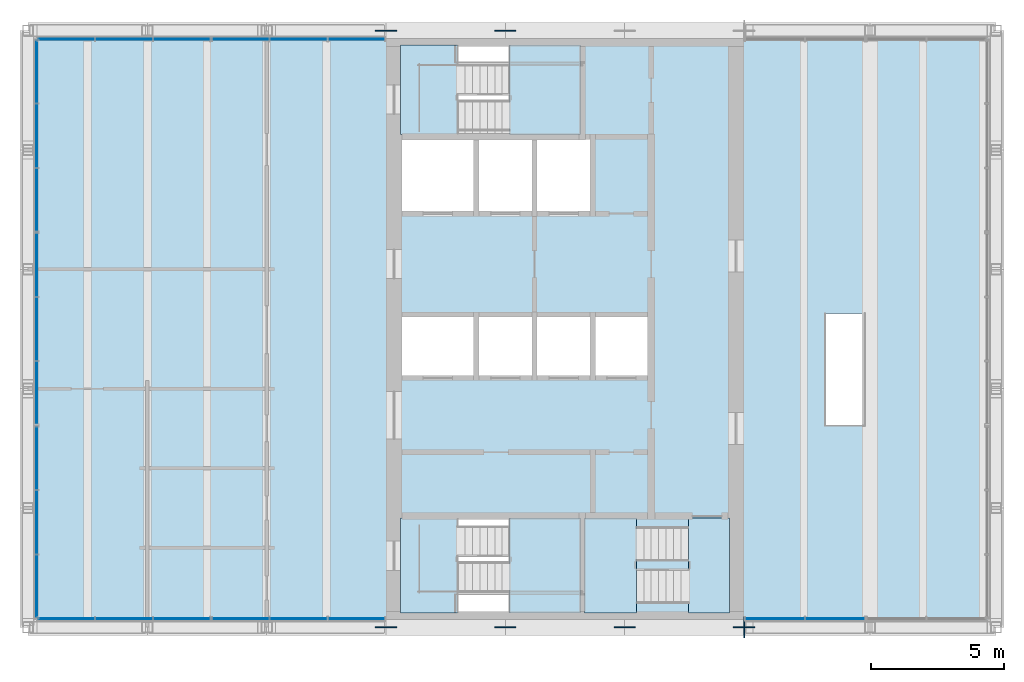
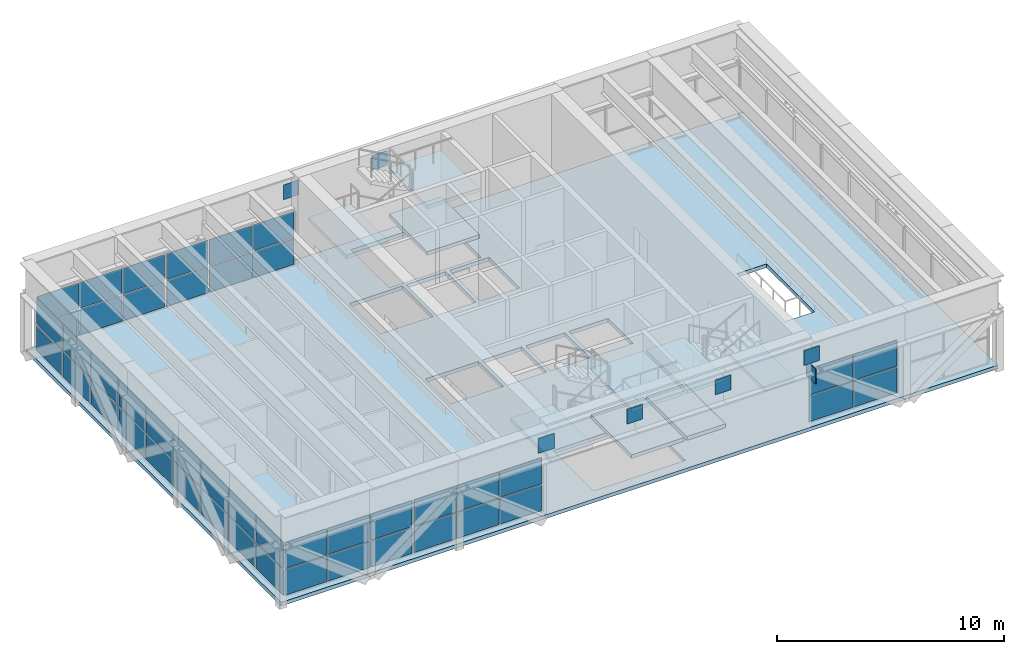
# One storey, part 7 of 12: 53 plates, 10 slabs, 11 elements without a shape of their own.
"""IFC4 building model written with IfcOpenShell, lengths in metres."""

from ifc_helpers import new_model, si_unit, direction, frame, origin, origin_2d, place, context, subcontext, project, spatial, polyline, rectangle, outline, extrude, material, layer, layer_set, type_object, element, aggregate, save


model = new_model("IFC4")

# Units and contexts
model_context = context("Model", 3, precision=1e-05, world=origin(), true_north=direction((0.0, 1.0)))
body_context = subcontext(model_context, "Body", "Model", "MODEL_VIEW")
ifc_project = project(units=[si_unit("LENGTHUNIT", "METRE"), si_unit("AREAUNIT", "SQUARE_METRE"), si_unit("VOLUMEUNIT", "CUBIC_METRE"), si_unit("PLANEANGLEUNIT", "RADIAN"), si_unit("MASSUNIT", "GRAM", prefix="KILO")], contexts=[model_context])

# Site, building, storey
site_placement = place(None, origin())
site = spatial("IfcSite", under=ifc_project, at=site_placement, CompositionType="ELEMENT")
building_placement = place(site_placement, origin())
building = spatial("IfcBuilding", under=site, at=building_placement, Name="Sennacour Bend Tower", CompositionType="ELEMENT")
storey_placement = place(building_placement, frame((0.0, 0.0, 350.5)))
storey = spatial("IfcBuildingStorey", under=building, at=storey_placement, Name="L80", CompositionType="ELEMENT", Elevation=350.5)

# Plates
ifc_material_1 = material(Name="Steel ASTM A572 Grade 50", Category="steel")
ifc_layer_1 = layer(ifc_material_1, 0.0400390625, Name="Steel ASTM A572 Grade 50", Category="steel")
ifc_layer_set_1 = layer_set([ifc_layer_1], Name="Steel ASTM A572 Grade 50")
plate_type_1 = type_object("IfcPlateType", Name="Cast-in plate 40", PredefinedType="USERDEFINED", material=ifc_layer_set_1)
for number, where, z_axis, x_axis, name in (
    (1, (54.0, 0.0, 3.4501953125), (0.0, 0.0, 1.0), (1.0, 0.0, 0.0), "Cast-in plate CP 40"),
    (2, (58.5, 0.0, 3.4501953125), (0.0, 0.0, 1.0), (1.0, 0.0, 0.0), "Cast-in plate CP 40"),
    (3, (63.0, 0.0, 3.4501953125), (0.0, 0.0, 1.0), (1.0, 0.0, 0.0), "Cast-in plate CP 40"),
    (4, (67.5, 0.0, 3.4501953125), (0.0, 0.0, 1.0), (1.0, 0.0, 0.0), "Cast-in plate CP 40"),
    (5, (54.0, 22.5, 3.4501953125), (0.0, 0.0, 1.0), (1.0, 0.0, 0.0), "Cast-in plate CP 40"),
    (6, (58.5, 22.5, 3.4501953125), (0.0, 0.0, 1.0), (1.0, 0.0, 0.0), "Cast-in plate CP 40"),
):
    element("IfcPlate", number, at=place(storey_placement, frame(where, z_axis=z_axis, x_axis=x_axis)), inside=storey, type_object=plate_type_1, Name=name, ObjectType="CAST-IN PLATE", PredefinedType="USERDEFINED", context=body_context, shape_type="SweptSolid", body=[
        extrude(rectangle(XDim=0.800048828125, YDim=0.0400390625, at=origin_2d()), origin(), (0.0, 0.0, 1.0), 0.800048828125),
    ])
plate_1_placement = place(storey_placement, frame((67.5, 0.0, 2.5498046875), z_axis=(0.0, 0.0, 1.0), x_axis=(1.0, 0.0, 0.0)))
element("IfcPlate", 7, at=plate_1_placement, inside=storey, type_object=plate_type_1, Name="Cast-in plate CP 40", ObjectType="CAST-IN PLATE", PredefinedType="USERDEFINED", context=body_context, shape_type="SweptSolid", body=[
    extrude(rectangle(XDim=0.0400390625, YDim=0.800048828125, at=origin_2d()), origin(), (0.0, 0.0, 1.0), 0.800048828125),
])

# Slab
ifc_material_2 = material(Name="Concrete C30/37", Category="concrete")
ifc_layer_2 = layer(ifc_material_2, 0.199951171875, Name="Concrete C30/37", Category="concrete")
ifc_layer_set_2 = layer_set([ifc_layer_2], Name="Concrete C30/37")
slab_type_1 = type_object("IfcSlabType", Name="Floor slab 200", PredefinedType="FLOOR", material=ifc_layer_set_2)
slab_1_placement = place(storey_placement, frame((0.0, 0.0, -0.199951171875)))
element("IfcSlab", 8, at=slab_1_placement, inside=storey, type_object=slab_type_1, Name="Floor slab L80-01", PredefinedType="FLOOR", context=body_context, shape_type="SweptSolid", body=[
    extrude(outline(polyline([(40.5, 0.0), (40.5, 22.5), (77.0, 22.5), (77.0, 0.0), (40.5, 0.0)]), holes=[polyline([(61.39990234375, 4.125), (56.72998046875, 4.125), (56.72998046875, 0.550048828125), (61.39990234375, 0.550048828125), (61.39990234375, 4.125)]), polyline([(72.050048828125, 11.840087890625), (70.550048828125, 11.840087890625), (70.550048828125, 7.60009765625), (72.050048828125, 7.60009765625), (72.050048828125, 11.840087890625)]), polyline([(57.300048828125, 11.699951171875), (54.60009765625, 11.699951171875), (54.60009765625, 9.5), (57.300048828125, 9.5), (57.300048828125, 11.699951171875)]), polyline([(59.5, 9.5), (59.5, 11.699951171875), (57.5, 11.699951171875), (57.5, 9.5), (59.5, 9.5)]), polyline([(61.699951171875, 9.5), (61.699951171875, 11.699951171875), (59.699951171875, 11.699951171875), (59.699951171875, 9.5), (61.699951171875, 9.5)]), polyline([(63.89990234375, 11.699951171875), (61.89990234375, 11.699951171875), (61.89990234375, 9.5), (63.89990234375, 9.5), (63.89990234375, 11.699951171875)]), polyline([(57.300048828125, 18.39990234375), (54.60009765625, 18.39990234375), (54.60009765625, 15.699951171875), (57.300048828125, 15.699951171875), (57.300048828125, 18.39990234375)]), polyline([(59.5, 18.39990234375), (57.5, 18.39990234375), (57.5, 15.699951171875), (59.5, 15.699951171875), (59.5, 18.39990234375)]), polyline([(61.699951171875, 15.699951171875), (61.699951171875, 18.39990234375), (59.699951171875, 18.39990234375), (59.699951171875, 15.699951171875), (61.699951171875, 15.699951171875)]), polyline([(61.39990234375, 18.574951171875), (61.39990234375, 21.949951171875), (56.72998046875, 21.949951171875), (56.72998046875, 18.574951171875), (61.39990234375, 18.574951171875)])]), origin(), (0.0, 0.0, 1.0), 0.199951171875),
])

# Curtain wall, plates
ifc_material_3 = material(Name="Bronze anodised aluminium curtain wall with clear glass", Category="aluminium")
curtain_wall_type = type_object("IfcCurtainWallType", Name="CURTAIN WALL LOUNGE", PredefinedType="NOTDEFINED", material=ifc_material_3)
curtain_wall_1_placement = place(storey_placement, origin())
curtain_wall_1 = element("IfcCurtainWall", 9, at=curtain_wall_1_placement, inside=storey, type_object=curtain_wall_type, Name="Sky lounge glass wall L80", PredefinedType="NOTDEFINED")
ifc_material_4 = material(Name="Clear low-emissivity glass", Category="glass")
ifc_layer_3 = layer(ifc_material_4, 0.031982421875, Name="Clear low-emissivity glass", Category="glass")
ifc_layer_set_3 = layer_set([ifc_layer_3], Name="Clear low-emissivity glass")
plate_type_2 = type_object("IfcPlateType", Name="PNL-GLASS-IGU32", PredefinedType="CURTAIN_PANEL", material=ifc_layer_set_3)
plate_2_placement = place(storey_placement, frame((52.88623046875, 22.175048828125, 0.06005859375), z_axis=(0.0, 0.0, 1.0), x_axis=(-1.0, 0.0, 0.0)))
plate_2 = element("IfcPlate", 10, at=plate_2_placement, type_object=plate_type_2, Name="GW4 curtain wall panel 1.1", PredefinedType="CURTAIN_PANEL", context=body_context, shape_type="SweptSolid", body=[
    extrude(rectangle(XDim=2.105712890625, YDim=0.031982421875, at=origin_2d()), origin(), (0.0, 0.0, 1.0), 1.385009765625),
])
plate_3_placement = place(storey_placement, frame((52.88623046875, 22.175048828125, 1.5048828125), z_axis=(0.0, 0.0, 1.0), x_axis=(-1.0, 0.0, 0.0)))
plate_3 = element("IfcPlate", 11, at=plate_3_placement, type_object=plate_type_2, Name="GW4 curtain wall panel 1.2", PredefinedType="CURTAIN_PANEL", context=body_context, shape_type="SweptSolid", body=[
    extrude(rectangle(XDim=2.105712890625, YDim=0.031982421875, at=origin_2d()), origin(), (0.0, 0.0, 1.0), 1.385009765625),
])
plate_4_placement = place(storey_placement, frame((50.70556640625, 22.175048828125, 0.06005859375), z_axis=(0.0, 0.0, 1.0), x_axis=(-1.0, 0.0, 0.0)))
plate_4 = element("IfcPlate", 12, at=plate_4_placement, type_object=plate_type_2, Name="GW4 curtain wall panel 2.1", PredefinedType="CURTAIN_PANEL", context=body_context, shape_type="SweptSolid", body=[
    extrude(rectangle(XDim=2.1357421875, YDim=0.031982421875, at=origin_2d()), origin(), (0.0, 0.0, 1.0), 1.385009765625),
])
plate_5_placement = place(storey_placement, frame((50.70556640625, 22.175048828125, 1.5048828125), z_axis=(0.0, 0.0, 1.0), x_axis=(-1.0, 0.0, 0.0)))
plate_5 = element("IfcPlate", 13, at=plate_5_placement, type_object=plate_type_2, Name="GW4 curtain wall panel 2.2", PredefinedType="CURTAIN_PANEL", context=body_context, shape_type="SweptSolid", body=[
    extrude(rectangle(XDim=2.1357421875, YDim=0.031982421875, at=origin_2d()), origin(), (0.0, 0.0, 1.0), 1.385009765625),
])
plate_6_placement = place(storey_placement, frame((48.52490234375, 22.175048828125, 0.06005859375), z_axis=(0.0, 0.0, 1.0), x_axis=(-1.0, 0.0, 0.0)))
plate_6 = element("IfcPlate", 14, at=plate_6_placement, type_object=plate_type_2, Name="GW4 curtain wall panel 3.1", PredefinedType="CURTAIN_PANEL", context=body_context, shape_type="SweptSolid", body=[
    extrude(rectangle(XDim=2.105712890625, YDim=0.031982421875, at=origin_2d()), origin(), (0.0, 0.0, 1.0), 1.385009765625),
])
plate_7_placement = place(storey_placement, frame((48.52490234375, 22.175048828125, 1.5048828125), z_axis=(0.0, 0.0, 1.0), x_axis=(-1.0, 0.0, 0.0)))
plate_7 = element("IfcPlate", 15, at=plate_7_placement, type_object=plate_type_2, Name="GW4 curtain wall panel 3.2", PredefinedType="CURTAIN_PANEL", context=body_context, shape_type="SweptSolid", body=[
    extrude(rectangle(XDim=2.105712890625, YDim=0.031982421875, at=origin_2d()), origin(), (0.0, 0.0, 1.0), 1.385009765625),
])
aggregate(curtain_wall_1, [plate_2, plate_3, plate_4, plate_5, plate_6, plate_7])

curtain_wall_2_placement = place(storey_placement, origin())
curtain_wall_2 = element("IfcCurtainWall", 16, at=curtain_wall_2_placement, inside=storey, type_object=curtain_wall_type, Name="Sky lounge glass wall L80", PredefinedType="NOTDEFINED")
plate_8_placement = place(storey_placement, frame((46.299072265625, 22.175048828125, 0.06005859375), z_axis=(0.0, 0.0, 1.0), x_axis=(-1.0, 0.0, 0.0)))
plate_8 = element("IfcPlate", 17, at=plate_8_placement, type_object=plate_type_2, Name="GW4 curtain wall panel 1.1", PredefinedType="CURTAIN_PANEL", context=body_context, shape_type="SweptSolid", body=[
    extrude(rectangle(XDim=2.105712890625, YDim=0.031982421875, at=origin_2d()), origin(), (0.0, 0.0, 1.0), 1.385009765625),
])
plate_9_placement = place(storey_placement, frame((46.299072265625, 22.175048828125, 1.5048828125), z_axis=(0.0, 0.0, 1.0), x_axis=(-1.0, 0.0, 0.0)))
plate_9 = element("IfcPlate", 18, at=plate_9_placement, type_object=plate_type_2, Name="GW4 curtain wall panel 1.2", PredefinedType="CURTAIN_PANEL", context=body_context, shape_type="SweptSolid", body=[
    extrude(rectangle(XDim=2.105712890625, YDim=0.031982421875, at=origin_2d()), origin(), (0.0, 0.0, 1.0), 1.385009765625),
])
plate_10_placement = place(storey_placement, frame((44.118408203125, 22.175048828125, 0.06005859375), z_axis=(0.0, 0.0, 1.0), x_axis=(-1.0, 0.0, 0.0)))
plate_10 = element("IfcPlate", 19, at=plate_10_placement, type_object=plate_type_2, Name="GW4 curtain wall panel 2.1", PredefinedType="CURTAIN_PANEL", context=body_context, shape_type="SweptSolid", body=[
    extrude(rectangle(XDim=2.1357421875, YDim=0.031982421875, at=origin_2d()), origin(), (0.0, 0.0, 1.0), 1.385009765625),
])
plate_11_placement = place(storey_placement, frame((44.118408203125, 22.175048828125, 1.5048828125), z_axis=(0.0, 0.0, 1.0), x_axis=(-1.0, 0.0, 0.0)))
plate_11 = element("IfcPlate", 20, at=plate_11_placement, type_object=plate_type_2, Name="GW4 curtain wall panel 2.2", PredefinedType="CURTAIN_PANEL", context=body_context, shape_type="SweptSolid", body=[
    extrude(rectangle(XDim=2.1357421875, YDim=0.031982421875, at=origin_2d()), origin(), (0.0, 0.0, 1.0), 1.385009765625),
])
plate_12_placement = place(storey_placement, frame((41.937744140625, 22.175048828125, 0.06005859375), z_axis=(0.0, 0.0, 1.0), x_axis=(-1.0, 0.0, 0.0)))
plate_12 = element("IfcPlate", 21, at=plate_12_placement, type_object=plate_type_2, Name="GW4 curtain wall panel 3.1", PredefinedType="CURTAIN_PANEL", context=body_context, shape_type="SweptSolid", body=[
    extrude(rectangle(XDim=2.105712890625, YDim=0.031982421875, at=origin_2d()), origin(), (0.0, 0.0, 1.0), 1.385009765625),
])
plate_13_placement = place(storey_placement, frame((41.937744140625, 22.175048828125, 1.5048828125), z_axis=(0.0, 0.0, 1.0), x_axis=(-1.0, 0.0, 0.0)))
plate_13 = element("IfcPlate", 22, at=plate_13_placement, type_object=plate_type_2, Name="GW4 curtain wall panel 3.2", PredefinedType="CURTAIN_PANEL", context=body_context, shape_type="SweptSolid", body=[
    extrude(rectangle(XDim=2.105712890625, YDim=0.031982421875, at=origin_2d()), origin(), (0.0, 0.0, 1.0), 1.385009765625),
])
aggregate(curtain_wall_2, [plate_8, plate_9, plate_10, plate_11, plate_12, plate_13])

curtain_wall_3_placement = place(storey_placement, origin())
curtain_wall_3 = element("IfcCurtainWall", 23, at=curtain_wall_3_placement, inside=storey, type_object=curtain_wall_type, Name="Sky lounge glass wall L80", PredefinedType="NOTDEFINED")
plate_14_placement = place(storey_placement, frame((40.824951171875, 1.553955078125, 0.06005859375), z_axis=(0.0, 0.0, 1.0), x_axis=(0.0, 1.0, 0.0)))
plate_14 = element("IfcPlate", 24, at=plate_14_placement, type_object=plate_type_2, Name="GW4 curtain wall panel 1.1", PredefinedType="CURTAIN_PANEL", context=body_context, shape_type="SweptSolid", body=[
    extrude(rectangle(XDim=2.337646484375, YDim=0.031982421875, at=origin_2d()), origin(), (0.0, 0.0, 1.0), 1.385009765625),
])
plate_15_placement = place(storey_placement, frame((40.824951171875, 1.553955078125, 1.5048828125), z_axis=(0.0, 0.0, 1.0), x_axis=(0.0, 1.0, 0.0)))
plate_15 = element("IfcPlate", 25, at=plate_15_placement, type_object=plate_type_2, Name="GW4 curtain wall panel 1.2", PredefinedType="CURTAIN_PANEL", context=body_context, shape_type="SweptSolid", body=[
    extrude(rectangle(XDim=2.337646484375, YDim=0.031982421875, at=origin_2d()), origin(), (0.0, 0.0, 1.0), 1.385009765625),
])
plate_16_placement = place(storey_placement, frame((40.824951171875, 3.966552734375, 0.06005859375), z_axis=(0.0, 0.0, 1.0), x_axis=(0.0, 1.0, 0.0)))
plate_16 = element("IfcPlate", 26, at=plate_16_placement, type_object=plate_type_2, Name="GW4 curtain wall panel 2.1", PredefinedType="CURTAIN_PANEL", context=body_context, shape_type="SweptSolid", body=[
    extrude(rectangle(XDim=2.36767578125, YDim=0.031982421875, at=origin_2d()), origin(), (0.0, 0.0, 1.0), 1.385009765625),
])
plate_17_placement = place(storey_placement, frame((40.824951171875, 3.966552734375, 1.5048828125), z_axis=(0.0, 0.0, 1.0), x_axis=(0.0, 1.0, 0.0)))
plate_17 = element("IfcPlate", 27, at=plate_17_placement, type_object=plate_type_2, Name="GW4 curtain wall panel 2.2", PredefinedType="CURTAIN_PANEL", context=body_context, shape_type="SweptSolid", body=[
    extrude(rectangle(XDim=2.36767578125, YDim=0.031982421875, at=origin_2d()), origin(), (0.0, 0.0, 1.0), 1.385009765625),
])
plate_18_placement = place(storey_placement, frame((40.824951171875, 6.37939453125, 0.06005859375), z_axis=(0.0, 0.0, 1.0), x_axis=(0.0, 1.0, 0.0)))
plate_18 = element("IfcPlate", 28, at=plate_18_placement, type_object=plate_type_2, Name="GW4 curtain wall panel 3.1", PredefinedType="CURTAIN_PANEL", context=body_context, shape_type="SweptSolid", body=[
    extrude(rectangle(XDim=2.337646484375, YDim=0.031982421875, at=origin_2d()), origin(), (0.0, 0.0, 1.0), 1.385009765625),
])
plate_19_placement = place(storey_placement, frame((40.824951171875, 6.37939453125, 1.5048828125), z_axis=(0.0, 0.0, 1.0), x_axis=(0.0, 1.0, 0.0)))
plate_19 = element("IfcPlate", 29, at=plate_19_placement, type_object=plate_type_2, Name="GW4 curtain wall panel 3.2", PredefinedType="CURTAIN_PANEL", context=body_context, shape_type="SweptSolid", body=[
    extrude(rectangle(XDim=2.337646484375, YDim=0.031982421875, at=origin_2d()), origin(), (0.0, 0.0, 1.0), 1.385009765625),
])
aggregate(curtain_wall_3, [plate_14, plate_15, plate_16, plate_17, plate_18, plate_19])

curtain_wall_4_placement = place(storey_placement, origin())
curtain_wall_4 = element("IfcCurtainWall", 30, at=curtain_wall_4_placement, inside=storey, type_object=curtain_wall_type, Name="Sky lounge glass wall L80", PredefinedType="NOTDEFINED")
plate_20_placement = place(storey_placement, frame((40.824951171875, 8.837158203125, 0.06005859375), z_axis=(0.0, 0.0, 1.0), x_axis=(0.0, 1.0, 0.0)))
plate_20 = element("IfcPlate", 31, at=plate_20_placement, type_object=plate_type_2, Name="GW4 curtain wall panel 1.1", PredefinedType="CURTAIN_PANEL", context=body_context, shape_type="SweptSolid", body=[
    extrude(rectangle(XDim=2.337890625, YDim=0.031982421875, at=origin_2d()), origin(), (0.0, 0.0, 1.0), 1.385009765625),
])
plate_21_placement = place(storey_placement, frame((40.824951171875, 8.837158203125, 1.5048828125), z_axis=(0.0, 0.0, 1.0), x_axis=(0.0, 1.0, 0.0)))
plate_21 = element("IfcPlate", 32, at=plate_21_placement, type_object=plate_type_2, Name="GW4 curtain wall panel 1.2", PredefinedType="CURTAIN_PANEL", context=body_context, shape_type="SweptSolid", body=[
    extrude(rectangle(XDim=2.337890625, YDim=0.031982421875, at=origin_2d()), origin(), (0.0, 0.0, 1.0), 1.385009765625),
])
plate_22_placement = place(storey_placement, frame((40.824951171875, 11.25, 0.06005859375), z_axis=(0.0, 0.0, 1.0), x_axis=(0.0, 1.0, 0.0)))
plate_22 = element("IfcPlate", 33, at=plate_22_placement, type_object=plate_type_2, Name="GW4 curtain wall panel 2.1", PredefinedType="CURTAIN_PANEL", context=body_context, shape_type="SweptSolid", body=[
    extrude(rectangle(XDim=2.367919921875, YDim=0.031982421875, at=origin_2d()), origin(), (0.0, 0.0, 1.0), 1.385009765625),
])
plate_23_placement = place(storey_placement, frame((40.824951171875, 11.25, 1.5048828125), z_axis=(0.0, 0.0, 1.0), x_axis=(0.0, 1.0, 0.0)))
plate_23 = element("IfcPlate", 34, at=plate_23_placement, type_object=plate_type_2, Name="GW4 curtain wall panel 2.2", PredefinedType="CURTAIN_PANEL", context=body_context, shape_type="SweptSolid", body=[
    extrude(rectangle(XDim=2.367919921875, YDim=0.031982421875, at=origin_2d()), origin(), (0.0, 0.0, 1.0), 1.385009765625),
])
plate_24_placement = place(storey_placement, frame((40.824951171875, 13.662841796875, 0.06005859375), z_axis=(0.0, 0.0, 1.0), x_axis=(0.0, 1.0, 0.0)))
plate_24 = element("IfcPlate", 35, at=plate_24_placement, type_object=plate_type_2, Name="GW4 curtain wall panel 3.1", PredefinedType="CURTAIN_PANEL", context=body_context, shape_type="SweptSolid", body=[
    extrude(rectangle(XDim=2.337890625, YDim=0.031982421875, at=origin_2d()), origin(), (0.0, 0.0, 1.0), 1.385009765625),
])
plate_25_placement = place(storey_placement, frame((40.824951171875, 13.662841796875, 1.5048828125), z_axis=(0.0, 0.0, 1.0), x_axis=(0.0, 1.0, 0.0)))
plate_25 = element("IfcPlate", 36, at=plate_25_placement, type_object=plate_type_2, Name="GW4 curtain wall panel 3.2", PredefinedType="CURTAIN_PANEL", context=body_context, shape_type="SweptSolid", body=[
    extrude(rectangle(XDim=2.337890625, YDim=0.031982421875, at=origin_2d()), origin(), (0.0, 0.0, 1.0), 1.385009765625),
])
aggregate(curtain_wall_4, [plate_20, plate_21, plate_22, plate_23, plate_24, plate_25])

curtain_wall_5_placement = place(storey_placement, origin())
curtain_wall_5 = element("IfcCurtainWall", 37, at=curtain_wall_5_placement, inside=storey, type_object=curtain_wall_type, Name="Sky lounge glass wall L80", PredefinedType="NOTDEFINED")
plate_26_placement = place(storey_placement, frame((40.824951171875, 16.12060546875, 0.06005859375), z_axis=(0.0, 0.0, 1.0), x_axis=(0.0, 1.0, 0.0)))
plate_26 = element("IfcPlate", 38, at=plate_26_placement, type_object=plate_type_2, Name="GW4 curtain wall panel 1.1", PredefinedType="CURTAIN_PANEL", context=body_context, shape_type="SweptSolid", body=[
    extrude(rectangle(XDim=2.337646484375, YDim=0.031982421875, at=origin_2d()), origin(), (0.0, 0.0, 1.0), 1.385009765625),
])
plate_27_placement = place(storey_placement, frame((40.824951171875, 16.12060546875, 1.5048828125), z_axis=(0.0, 0.0, 1.0), x_axis=(0.0, 1.0, 0.0)))
plate_27 = element("IfcPlate", 39, at=plate_27_placement, type_object=plate_type_2, Name="GW4 curtain wall panel 1.2", PredefinedType="CURTAIN_PANEL", context=body_context, shape_type="SweptSolid", body=[
    extrude(rectangle(XDim=2.337646484375, YDim=0.031982421875, at=origin_2d()), origin(), (0.0, 0.0, 1.0), 1.385009765625),
])
plate_28_placement = place(storey_placement, frame((40.824951171875, 18.533447265625, 0.06005859375), z_axis=(0.0, 0.0, 1.0), x_axis=(0.0, 1.0, 0.0)))
plate_28 = element("IfcPlate", 40, at=plate_28_placement, type_object=plate_type_2, Name="GW4 curtain wall panel 2.1", PredefinedType="CURTAIN_PANEL", context=body_context, shape_type="SweptSolid", body=[
    extrude(rectangle(XDim=2.36767578125, YDim=0.031982421875, at=origin_2d()), origin(), (0.0, 0.0, 1.0), 1.385009765625),
])
plate_29_placement = place(storey_placement, frame((40.824951171875, 18.533447265625, 1.5048828125), z_axis=(0.0, 0.0, 1.0), x_axis=(0.0, 1.0, 0.0)))
plate_29 = element("IfcPlate", 41, at=plate_29_placement, type_object=plate_type_2, Name="GW4 curtain wall panel 2.2", PredefinedType="CURTAIN_PANEL", context=body_context, shape_type="SweptSolid", body=[
    extrude(rectangle(XDim=2.36767578125, YDim=0.031982421875, at=origin_2d()), origin(), (0.0, 0.0, 1.0), 1.385009765625),
])
plate_30_placement = place(storey_placement, frame((40.824951171875, 20.946044921875, 0.06005859375), z_axis=(0.0, 0.0, 1.0), x_axis=(0.0, 1.0, 0.0)))
plate_30 = element("IfcPlate", 42, at=plate_30_placement, type_object=plate_type_2, Name="GW4 curtain wall panel 3.1", PredefinedType="CURTAIN_PANEL", context=body_context, shape_type="SweptSolid", body=[
    extrude(rectangle(XDim=2.337646484375, YDim=0.031982421875, at=origin_2d()), origin(), (0.0, 0.0, 1.0), 1.385009765625),
])
plate_31_placement = place(storey_placement, frame((40.824951171875, 20.946044921875, 1.5048828125), z_axis=(0.0, 0.0, 1.0), x_axis=(0.0, 1.0, 0.0)))
plate_31 = element("IfcPlate", 43, at=plate_31_placement, type_object=plate_type_2, Name="GW4 curtain wall panel 3.2", PredefinedType="CURTAIN_PANEL", context=body_context, shape_type="SweptSolid", body=[
    extrude(rectangle(XDim=2.337646484375, YDim=0.031982421875, at=origin_2d()), origin(), (0.0, 0.0, 1.0), 1.385009765625),
])
aggregate(curtain_wall_5, [plate_26, plate_27, plate_28, plate_29, plate_30, plate_31])

curtain_wall_6_placement = place(storey_placement, origin())
curtain_wall_6 = element("IfcCurtainWall", 44, at=curtain_wall_6_placement, inside=storey, type_object=curtain_wall_type, Name="Sky lounge glass wall L80", PredefinedType="NOTDEFINED")
plate_32_placement = place(storey_placement, frame((41.937744140625, 0.324951171875, 0.06005859375), z_axis=(0.0, 0.0, 1.0), x_axis=(1.0, 0.0, 0.0)))
plate_32 = element("IfcPlate", 45, at=plate_32_placement, type_object=plate_type_2, Name="GW4 curtain wall panel 1.1", PredefinedType="CURTAIN_PANEL", context=body_context, shape_type="SweptSolid", body=[
    extrude(rectangle(XDim=2.105712890625, YDim=0.031982421875, at=origin_2d()), origin(), (0.0, 0.0, 1.0), 1.385009765625),
])
plate_33_placement = place(storey_placement, frame((41.937744140625, 0.324951171875, 1.5048828125), z_axis=(0.0, 0.0, 1.0), x_axis=(1.0, 0.0, 0.0)))
plate_33 = element("IfcPlate", 46, at=plate_33_placement, type_object=plate_type_2, Name="GW4 curtain wall panel 1.2", PredefinedType="CURTAIN_PANEL", context=body_context, shape_type="SweptSolid", body=[
    extrude(rectangle(XDim=2.105712890625, YDim=0.031982421875, at=origin_2d()), origin(), (0.0, 0.0, 1.0), 1.385009765625),
])
plate_34_placement = place(storey_placement, frame((44.118408203125, 0.324951171875, 0.06005859375), z_axis=(0.0, 0.0, 1.0), x_axis=(1.0, 0.0, 0.0)))
plate_34 = element("IfcPlate", 47, at=plate_34_placement, type_object=plate_type_2, Name="GW4 curtain wall panel 2.1", PredefinedType="CURTAIN_PANEL", context=body_context, shape_type="SweptSolid", body=[
    extrude(rectangle(XDim=2.1357421875, YDim=0.031982421875, at=origin_2d()), origin(), (0.0, 0.0, 1.0), 1.385009765625),
])
plate_35_placement = place(storey_placement, frame((44.118408203125, 0.324951171875, 1.5048828125), z_axis=(0.0, 0.0, 1.0), x_axis=(1.0, 0.0, 0.0)))
plate_35 = element("IfcPlate", 48, at=plate_35_placement, type_object=plate_type_2, Name="GW4 curtain wall panel 2.2", PredefinedType="CURTAIN_PANEL", context=body_context, shape_type="SweptSolid", body=[
    extrude(rectangle(XDim=2.1357421875, YDim=0.031982421875, at=origin_2d()), origin(), (0.0, 0.0, 1.0), 1.385009765625),
])
plate_36_placement = place(storey_placement, frame((46.299072265625, 0.324951171875, 0.06005859375), z_axis=(0.0, 0.0, 1.0), x_axis=(1.0, 0.0, 0.0)))
plate_36 = element("IfcPlate", 49, at=plate_36_placement, type_object=plate_type_2, Name="GW4 curtain wall panel 3.1", PredefinedType="CURTAIN_PANEL", context=body_context, shape_type="SweptSolid", body=[
    extrude(rectangle(XDim=2.105712890625, YDim=0.031982421875, at=origin_2d()), origin(), (0.0, 0.0, 1.0), 1.385009765625),
])
plate_37_placement = place(storey_placement, frame((46.299072265625, 0.324951171875, 1.5048828125), z_axis=(0.0, 0.0, 1.0), x_axis=(1.0, 0.0, 0.0)))
plate_37 = element("IfcPlate", 50, at=plate_37_placement, type_object=plate_type_2, Name="GW4 curtain wall panel 3.2", PredefinedType="CURTAIN_PANEL", context=body_context, shape_type="SweptSolid", body=[
    extrude(rectangle(XDim=2.105712890625, YDim=0.031982421875, at=origin_2d()), origin(), (0.0, 0.0, 1.0), 1.385009765625),
])
aggregate(curtain_wall_6, [plate_32, plate_33, plate_34, plate_35, plate_36, plate_37])

curtain_wall_7_placement = place(storey_placement, origin())
curtain_wall_7 = element("IfcCurtainWall", 51, at=curtain_wall_7_placement, inside=storey, type_object=curtain_wall_type, Name="Sky lounge glass wall L80", PredefinedType="NOTDEFINED")
plate_38_placement = place(storey_placement, frame((48.52490234375, 0.324951171875, 0.06005859375), z_axis=(0.0, 0.0, 1.0), x_axis=(1.0, 0.0, 0.0)))
plate_38 = element("IfcPlate", 52, at=plate_38_placement, type_object=plate_type_2, Name="GW4 curtain wall panel 1.1", PredefinedType="CURTAIN_PANEL", context=body_context, shape_type="SweptSolid", body=[
    extrude(rectangle(XDim=2.105712890625, YDim=0.031982421875, at=origin_2d()), origin(), (0.0, 0.0, 1.0), 1.385009765625),
])
plate_39_placement = place(storey_placement, frame((48.52490234375, 0.324951171875, 1.5048828125), z_axis=(0.0, 0.0, 1.0), x_axis=(1.0, 0.0, 0.0)))
plate_39 = element("IfcPlate", 53, at=plate_39_placement, type_object=plate_type_2, Name="GW4 curtain wall panel 1.2", PredefinedType="CURTAIN_PANEL", context=body_context, shape_type="SweptSolid", body=[
    extrude(rectangle(XDim=2.105712890625, YDim=0.031982421875, at=origin_2d()), origin(), (0.0, 0.0, 1.0), 1.385009765625),
])
plate_40_placement = place(storey_placement, frame((50.70556640625, 0.324951171875, 0.06005859375), z_axis=(0.0, 0.0, 1.0), x_axis=(1.0, 0.0, 0.0)))
plate_40 = element("IfcPlate", 54, at=plate_40_placement, type_object=plate_type_2, Name="GW4 curtain wall panel 2.1", PredefinedType="CURTAIN_PANEL", context=body_context, shape_type="SweptSolid", body=[
    extrude(rectangle(XDim=2.1357421875, YDim=0.031982421875, at=origin_2d()), origin(), (0.0, 0.0, 1.0), 1.385009765625),
])
plate_41_placement = place(storey_placement, frame((50.70556640625, 0.324951171875, 1.5048828125), z_axis=(0.0, 0.0, 1.0), x_axis=(1.0, 0.0, 0.0)))
plate_41 = element("IfcPlate", 55, at=plate_41_placement, type_object=plate_type_2, Name="GW4 curtain wall panel 2.2", PredefinedType="CURTAIN_PANEL", context=body_context, shape_type="SweptSolid", body=[
    extrude(rectangle(XDim=2.1357421875, YDim=0.031982421875, at=origin_2d()), origin(), (0.0, 0.0, 1.0), 1.385009765625),
])
plate_42_placement = place(storey_placement, frame((52.88623046875, 0.324951171875, 0.06005859375), z_axis=(0.0, 0.0, 1.0), x_axis=(1.0, 0.0, 0.0)))
plate_42 = element("IfcPlate", 56, at=plate_42_placement, type_object=plate_type_2, Name="GW4 curtain wall panel 3.1", PredefinedType="CURTAIN_PANEL", context=body_context, shape_type="SweptSolid", body=[
    extrude(rectangle(XDim=2.105712890625, YDim=0.031982421875, at=origin_2d()), origin(), (0.0, 0.0, 1.0), 1.385009765625),
])
plate_43_placement = place(storey_placement, frame((52.88623046875, 0.324951171875, 1.5048828125), z_axis=(0.0, 0.0, 1.0), x_axis=(1.0, 0.0, 0.0)))
plate_43 = element("IfcPlate", 57, at=plate_43_placement, type_object=plate_type_2, Name="GW4 curtain wall panel 3.2", PredefinedType="CURTAIN_PANEL", context=body_context, shape_type="SweptSolid", body=[
    extrude(rectangle(XDim=2.105712890625, YDim=0.031982421875, at=origin_2d()), origin(), (0.0, 0.0, 1.0), 1.385009765625),
])
aggregate(curtain_wall_7, [plate_38, plate_39, plate_40, plate_41, plate_42, plate_43])

curtain_wall_8_placement = place(storey_placement, origin())
curtain_wall_8 = element("IfcCurtainWall", 58, at=curtain_wall_8_placement, inside=storey, type_object=curtain_wall_type, Name="Sky lounge glass wall L80", PredefinedType="NOTDEFINED")
plate_44_placement = place(storey_placement, frame((68.662841796875, 0.324951171875, 0.06005859375), z_axis=(0.0, 0.0, 1.0), x_axis=(1.0, 0.0, 0.0)))
plate_44 = element("IfcPlate", 59, at=plate_44_placement, type_object=plate_type_2, Name="GW4 curtain wall panel 1.1", PredefinedType="CURTAIN_PANEL", context=body_context, shape_type="SweptSolid", body=[
    extrude(rectangle(XDim=2.20361328125, YDim=0.031982421875, at=origin_2d()), origin(), (0.0, 0.0, 1.0), 1.385009765625),
])
plate_45_placement = place(storey_placement, frame((68.662841796875, 0.324951171875, 1.5048828125), z_axis=(0.0, 0.0, 1.0), x_axis=(1.0, 0.0, 0.0)))
plate_45 = element("IfcPlate", 60, at=plate_45_placement, type_object=plate_type_2, Name="GW4 curtain wall panel 1.2", PredefinedType="CURTAIN_PANEL", context=body_context, shape_type="SweptSolid", body=[
    extrude(rectangle(XDim=2.20361328125, YDim=0.031982421875, at=origin_2d()), origin(), (0.0, 0.0, 1.0), 1.385009765625),
])
plate_46_placement = place(storey_placement, frame((70.92626953125, 0.324951171875, 0.06005859375), z_axis=(0.0, 0.0, 1.0), x_axis=(1.0, 0.0, 0.0)))
plate_46 = element("IfcPlate", 61, at=plate_46_placement, type_object=plate_type_2, Name="GW4 curtain wall panel 2.1", PredefinedType="CURTAIN_PANEL", context=body_context, shape_type="SweptSolid", body=[
    extrude(rectangle(XDim=2.20361328125, YDim=0.031982421875, at=origin_2d()), origin(), (0.0, 0.0, 1.0), 1.385009765625),
])
plate_47_placement = place(storey_placement, frame((70.92626953125, 0.324951171875, 1.5048828125), z_axis=(0.0, 0.0, 1.0), x_axis=(1.0, 0.0, 0.0)))
plate_47 = element("IfcPlate", 62, at=plate_47_placement, type_object=plate_type_2, Name="GW4 curtain wall panel 2.2", PredefinedType="CURTAIN_PANEL", context=body_context, shape_type="SweptSolid", body=[
    extrude(rectangle(XDim=2.20361328125, YDim=0.031982421875, at=origin_2d()), origin(), (0.0, 0.0, 1.0), 1.385009765625),
])
aggregate(curtain_wall_8, [plate_44, plate_45, plate_46, plate_47])

# Stair, slabs
ifc_material_5 = material(Name="Concrete C40/50", Category="concrete")
stair_type = type_object("IfcStairType", Name="ST-DOGLEG", PredefinedType="HALF_TURN_STAIR", material=ifc_material_5)
stair_1_placement = place(storey_placement, origin())
stair_1 = element("IfcStair", 63, at=stair_1_placement, inside=storey, type_object=stair_type, Name="L80 Exit stair A1", PredefinedType="HALF_TURN_STAIR")
ifc_layer_4 = layer(ifc_material_5, 0.199951171875, Name="Concrete C40/50", Category="concrete")
ifc_layer_set_4 = layer_set([ifc_layer_4], Name="Concrete C40/50")
slab_type_2 = type_object("IfcSlabType", Name="Stair landing 200", PredefinedType="LANDING", material=ifc_layer_set_4)
slab_2_placement = place(storey_placement, frame((0.0, 0.0, 1.050048828125)))
slab_2 = element("IfcSlab", 64, at=slab_2_placement, type_object=slab_type_2, Name="SA1 landing 1", PredefinedType="LANDING", context=body_context, shape_type="SweptSolid", body=[
    extrude(outline(polyline([(58.659912109375, 0.550048828125), (61.324951171875, 0.550048828125), (61.324951171875, 4.125), (58.659912109375, 4.125), (58.659912109375, 0.550048828125)])), origin(), (0.0, 0.0, 1.0), 0.199951171875),
])
slab_3_placement = place(storey_placement, frame((0.0, 0.0, 2.300048828125)))
slab_3 = element("IfcSlab", 65, at=slab_3_placement, type_object=slab_type_2, Name="SA1 landing 2", PredefinedType="LANDING", context=body_context, shape_type="SweptSolid", body=[
    extrude(outline(polyline([(54.550048828125, 0.550048828125), (56.699951171875, 0.550048828125), (56.699951171875, 4.125), (54.550048828125, 4.125), (54.550048828125, 0.550048828125)])), origin(), (0.0, 0.0, 1.0), 0.199951171875),
])
slab_4_placement = place(storey_placement, frame((0.0, 0.0, 3.550048828125)))
slab_4 = element("IfcSlab", 66, at=slab_4_placement, type_object=slab_type_2, Name="SA1 landing 3", PredefinedType="LANDING", context=body_context, shape_type="SweptSolid", body=[
    extrude(outline(polyline([(58.659912109375, 0.550048828125), (61.324951171875, 0.550048828125), (61.324951171875, 4.125), (58.659912109375, 4.125), (58.659912109375, 0.550048828125)])), origin(), (0.0, 0.0, 1.0), 0.199951171875),
])
aggregate(stair_1, [slab_2, slab_3, slab_4])

stair_2_placement = place(storey_placement, origin())
stair_2 = element("IfcStair", 67, at=stair_2_placement, inside=storey, type_object=stair_type, Name="L80 Exit stair A2", PredefinedType="HALF_TURN_STAIR")
slab_5_placement = place(storey_placement, frame((0.0, 0.0, 1.050048828125)))
slab_5 = element("IfcSlab", 68, at=slab_5_placement, type_object=slab_type_2, Name="SA2 landing 1", PredefinedType="LANDING", context=body_context, shape_type="SweptSolid", body=[
    extrude(outline(polyline([(58.659912109375, 18.574951171875), (61.324951171875, 18.574951171875), (61.324951171875, 21.949951171875), (58.659912109375, 21.949951171875), (58.659912109375, 18.574951171875)])), origin(), (0.0, 0.0, 1.0), 0.199951171875),
])
slab_6_placement = place(storey_placement, frame((0.0, 0.0, 2.300048828125)))
slab_6 = element("IfcSlab", 69, at=slab_6_placement, type_object=slab_type_2, Name="SA2 landing 2", PredefinedType="LANDING", context=body_context, shape_type="SweptSolid", body=[
    extrude(outline(polyline([(54.550048828125, 18.574951171875), (56.699951171875, 18.574951171875), (56.699951171875, 21.949951171875), (54.550048828125, 21.949951171875), (54.550048828125, 18.574951171875)])), origin(), (0.0, 0.0, 1.0), 0.199951171875),
])
slab_7_placement = place(storey_placement, frame((0.0, 0.0, 3.550048828125)))
slab_7 = element("IfcSlab", 70, at=slab_7_placement, type_object=slab_type_2, Name="SA2 landing 3", PredefinedType="LANDING", context=body_context, shape_type="SweptSolid", body=[
    extrude(outline(polyline([(58.659912109375, 18.574951171875), (61.324951171875, 18.574951171875), (61.324951171875, 21.949951171875), (58.659912109375, 21.949951171875), (58.659912109375, 18.574951171875)])), origin(), (0.0, 0.0, 1.0), 0.199951171875),
])
aggregate(stair_2, [slab_5, slab_6, slab_7])

stair_3_placement = place(storey_placement, origin())
stair_3 = element("IfcStair", 71, at=stair_3_placement, inside=storey, type_object=stair_type, Name="L80 Exit stair A3", PredefinedType="HALF_TURN_STAIR")
slab_8_placement = place(storey_placement, frame((0.0, 0.0, 1.050048828125)))
slab_8 = element("IfcSlab", 72, at=slab_8_placement, type_object=slab_type_2, Name="SA3 landing 1", PredefinedType="LANDING", context=body_context, shape_type="SweptSolid", body=[
    extrude(outline(polyline([(61.47509765625, 0.550048828125), (63.43994140625, 0.550048828125), (63.43994140625, 4.125), (61.47509765625, 4.125), (61.47509765625, 0.550048828125)])), origin(), (0.0, 0.0, 1.0), 0.199951171875),
])
slab_9_placement = place(storey_placement, frame((0.0, 0.0, 2.300048828125)))
slab_9 = element("IfcSlab", 73, at=slab_9_placement, type_object=slab_type_2, Name="SA3 landing 2", PredefinedType="LANDING", context=body_context, shape_type="SweptSolid", body=[
    extrude(outline(polyline([(65.39990234375, 0.550048828125), (66.949951171875, 0.550048828125), (66.949951171875, 4.125), (65.39990234375, 4.125), (65.39990234375, 0.550048828125)])), origin(), (0.0, 0.0, 1.0), 0.199951171875),
])
slab_10_placement = place(storey_placement, frame((0.0, 0.0, 3.550048828125)))
slab_10 = element("IfcSlab", 74, at=slab_10_placement, type_object=slab_type_2, Name="SA3 landing 3", PredefinedType="LANDING", context=body_context, shape_type="SweptSolid", body=[
    extrude(outline(polyline([(61.47509765625, 0.550048828125), (63.43994140625, 0.550048828125), (63.43994140625, 4.125), (61.47509765625, 4.125), (61.47509765625, 0.550048828125)])), origin(), (0.0, 0.0, 1.0), 0.199951171875),
])
aggregate(stair_3, [slab_8, slab_9, slab_10])

save(model, "model.ifc")
